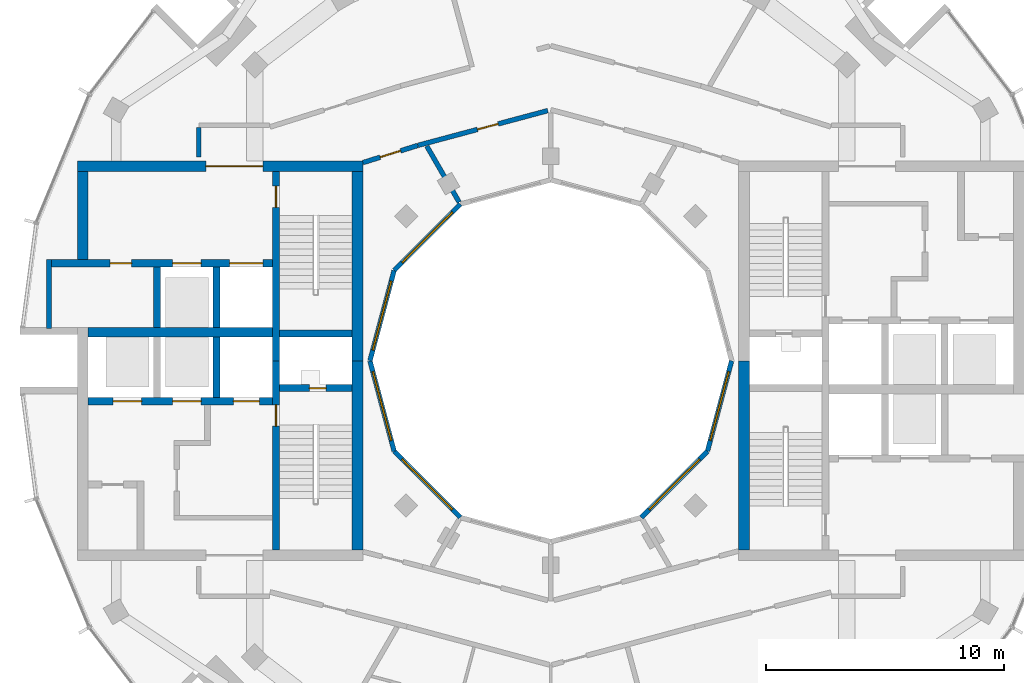
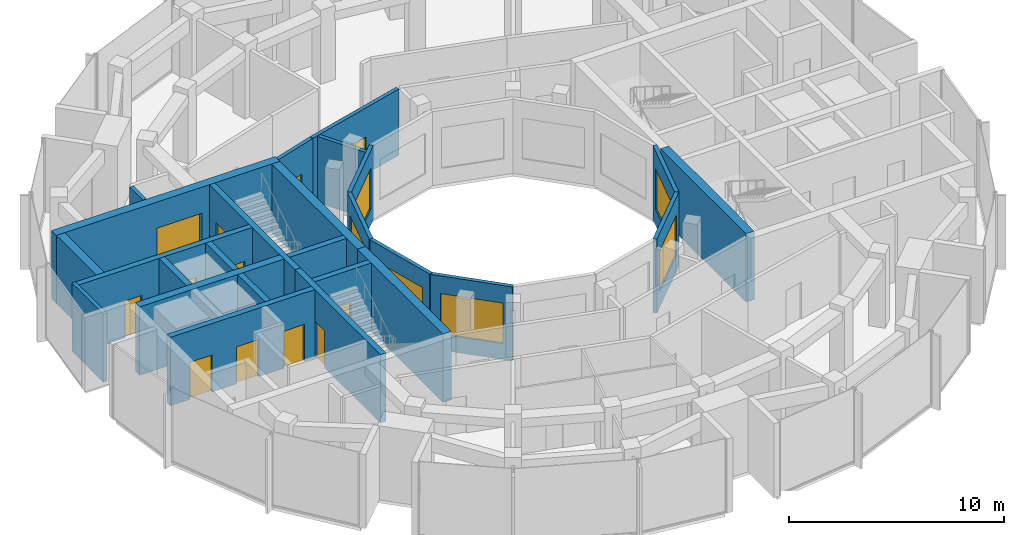
# One storey, part 9 of 13: 26 walls, 12 doors, 6 windows, 18 openings.
"""IFC4 building model written with IfcOpenShell, lengths in metres."""

from ifc_helpers import new_model, si_unit, direction, frame, frame_2d, origin, place, context, subcontext, project, spatial, rectangle, extrude, material, layer, layer_set, type_object, element, fill, save


model = new_model("IFC4")

# Units and contexts
model_context = context("Model", 3, precision=1e-05, world=origin(), true_north=direction((0.0, 1.0)))
body_context = subcontext(model_context, "Body", "Model", "MODEL_VIEW")
ifc_project = project(units=[si_unit("LENGTHUNIT", "METRE"), si_unit("AREAUNIT", "SQUARE_METRE"), si_unit("VOLUMEUNIT", "CUBIC_METRE"), si_unit("PLANEANGLEUNIT", "RADIAN"), si_unit("MASSUNIT", "GRAM", prefix="KILO")], contexts=[model_context])

# Site, building, storey
site_placement = place(None, origin())
site = spatial("IfcSite", under=ifc_project, at=site_placement, CompositionType="ELEMENT")
building_placement = place(site_placement, origin())
building = spatial("IfcBuilding", under=site, at=building_placement, Name="Torre Brocal", CompositionType="ELEMENT")
storey_placement = place(building_placement, frame((0.0, 0.0, 300.89990234375)))
storey = spatial("IfcBuildingStorey", under=building, at=storey_placement, Name="L69", CompositionType="ELEMENT", Elevation=300.89990234375)

# Wall
ifc_material_1 = material(Name="Masonry block", Category="masonry")
ifc_layer_1 = layer(ifc_material_1, 0.199951171875)
ifc_layer_set_1 = layer_set([ifc_layer_1], Name="Masonry block")
wall_type_1 = type_object("IfcWallType", Name="CORE PARTITION 200", PredefinedType="PARTITIONING", material=ifc_layer_set_1)
wall_1_placement = place(storey_placement, frame((58.89990234375, 79.25, 0.0), z_axis=(0.0, 0.0, 1.0), x_axis=(0.0, -1.0, 0.0)))
element("IfcWall", 1, at=wall_1_placement, inside=storey, type_object=wall_type_1, Name="Wall CP200", PredefinedType="PARTITIONING", context=body_context, shape_type="SweptSolid", body=[
    extrude(rectangle(XDim=2.89990234375, YDim=0.199951171875, at=frame_2d((1.449951171875, 0.0))), origin(), (0.0, 0.0, 1.0), 3.880126953125),
])

# Wall, opening, door
ifc_material_2 = material(Name="Concrete C50", Category="concrete")
ifc_layer_2 = layer(ifc_material_2, 0.300048828125)
ifc_layer_set_2 = layer_set([ifc_layer_2], Name="Concrete C50")
wall_type_2 = type_object("IfcWallType", Name="CORE WALL 300 C50", PredefinedType="SHEAR", material=ifc_layer_set_2)
wall_2_placement = place(storey_placement, frame((68.449951171875, 75.0, 0.0), z_axis=(0.0, 0.0, 1.0), x_axis=(0.0, -1.0, 0.0)))
wall_2 = element("IfcWall", 2, at=wall_2_placement, inside=storey, type_object=wall_type_2, Name="Wall CW300-50", PredefinedType="SHEAR", context=body_context, shape_type="SweptSolid", body=[
    extrude(rectangle(XDim=7.949951171875, YDim=0.300048828125, at=frame_2d((3.97509765625, 0.0))), origin(), (0.0, 0.0, 1.0), 3.880126953125),
])
opening_1_placement = place(wall_2_placement, frame((1.85009765625, 0.0, 0.0)))
opening_1 = element("IfcOpeningElement", 3, at=opening_1_placement, cuts=wall_2, Name="Opening W-D02", PredefinedType="OPENING", context=body_context, shape_type="SweptSolid", body=[
    extrude(rectangle(XDim=0.89990234375, YDim=2.10009765625, at=frame_2d((0.449951171875, 1.050048828125))), frame((0.0, 0.159912109375, 0.0), z_axis=(0.0, -1.0, 0.0), x_axis=(1.0, 0.0, 0.0)), (0.0, 0.0, 1.0), 0.320068359375),
])
ifc_material_3 = material(Name="Steel A653", Category="steel")
door_type_1 = type_object("IfcDoorType", Name="STAIR DOOR FD120 900X2100", OperationType="SINGLE_SWING_RIGHT", PredefinedType="DOOR", material=ifc_material_3)
door_1_placement = place(opening_1_placement, origin())
door_1 = element("IfcDoor", 4, at=door_1_placement, inside=storey, type_object=door_type_1, Name="Door W-D02", OperationType="SINGLE_SWING_LEFT", OverallHeight=2.10009765625, OverallWidth=0.89990234375, PredefinedType="DOOR", context=body_context, shape_type="SweptSolid", body=[
    extrude(rectangle(XDim=0.89990234375, YDim=2.10009765625, at=frame_2d((0.449951171875, 1.050048828125))), frame((0.0, 0.02490234375, 0.0), z_axis=(0.0, -1.0, 0.0), x_axis=(1.0, 0.0, 0.0)), (0.0, 0.0, 1.0), 0.050048828125),
])
fill(opening_1, door_1)

wall_3_placement = place(storey_placement, frame((68.449951171875, 82.949951171875, 0.0), z_axis=(0.0, 0.0, 1.0), x_axis=(0.0, -1.0, 0.0)))
wall_3 = element("IfcWall", 5, at=wall_3_placement, inside=storey, type_object=wall_type_2, Name="Wall CW300-50", PredefinedType="SHEAR", context=body_context, shape_type="SweptSolid", body=[
    extrude(rectangle(XDim=7.949951171875, YDim=0.300048828125, at=frame_2d((3.97509765625, 0.0))), origin(), (0.0, 0.0, 1.0), 3.880126953125),
])
opening_2_placement = place(wall_3_placement, frame((0.60009765625, 0.0, 0.0)))
opening_2 = element("IfcOpeningElement", 6, at=opening_2_placement, cuts=wall_3, Name="Opening W-D03", PredefinedType="OPENING", context=body_context, shape_type="SweptSolid", body=[
    extrude(rectangle(XDim=0.89990234375, YDim=2.10009765625, at=frame_2d((0.449951171875, 1.050048828125))), frame((0.0, 0.159912109375, 0.0), z_axis=(0.0, -1.0, 0.0), x_axis=(1.0, 0.0, 0.0)), (0.0, 0.0, 1.0), 0.320068359375),
])
door_2_placement = place(opening_2_placement, origin())
door_2 = element("IfcDoor", 7, at=door_2_placement, inside=storey, type_object=door_type_1, Name="Door W-D03", OperationType="SINGLE_SWING_LEFT", OverallHeight=2.10009765625, OverallWidth=0.89990234375, PredefinedType="DOOR", context=body_context, shape_type="SweptSolid", body=[
    extrude(rectangle(XDim=0.89990234375, YDim=2.10009765625, at=frame_2d((0.449951171875, 1.050048828125))), frame((0.0, 0.02490234375, 0.0), z_axis=(0.0, -1.0, 0.0), x_axis=(1.0, 0.0, 0.0)), (0.0, 0.0, 1.0), 0.050048828125),
])
fill(opening_2, door_2)

wall_4_placement = place(storey_placement, frame((71.64990234375, 73.85009765625, 0.0), z_axis=(0.0, 0.0, 1.0), x_axis=(-1.0, 0.0, 0.0)))
wall_4 = element("IfcWall", 8, at=wall_4_placement, inside=storey, type_object=wall_type_2, Name="Wall CW300-50", PredefinedType="SHEAR", context=body_context, shape_type="SweptSolid", body=[
    extrude(rectangle(XDim=3.0498046875, YDim=0.300048828125, at=frame_2d((1.52490234375, 0.0))), origin(), (0.0, 0.0, 1.0), 3.880126953125),
])
opening_3_placement = place(wall_4_placement, frame((1.10009765625, 0.0, 0.0)))
opening_3 = element("IfcOpeningElement", 9, at=opening_3_placement, cuts=wall_4, Name="Opening W-D01", PredefinedType="OPENING", context=body_context, shape_type="SweptSolid", body=[
    extrude(rectangle(XDim=0.699951171875, YDim=2.0, at=frame_2d((0.35009765625, 1.0))), frame((0.0, 0.159912109375, 0.0), z_axis=(0.0, -1.0, 0.0), x_axis=(1.0, 0.0, 0.0)), (0.0, 0.0, 1.0), 0.320068359375),
])
ifc_material_4 = material(Name="Steel A653", Category="steel")
door_type_2 = type_object("IfcDoorType", Name="RISER DOOR FD120 700X2000", OperationType="SINGLE_SWING_LEFT", PredefinedType="DOOR", material=ifc_material_4)
door_3_placement = place(opening_3_placement, frame((0.699951171875, 0.0, 0.0), z_axis=(0.0, 0.0, 1.0), x_axis=(-1.0, 0.0, 0.0)))
door_3 = element("IfcDoor", 10, at=door_3_placement, inside=storey, type_object=door_type_2, Name="Door W-D01", OperationType="SINGLE_SWING_RIGHT", OverallHeight=2.0, OverallWidth=0.699951171875, PredefinedType="DOOR", context=body_context, shape_type="SweptSolid", body=[
    extrude(rectangle(XDim=0.699951171875, YDim=2.0, at=frame_2d((0.35009765625, 1.0))), frame((0.0, 0.02490234375, 0.0), z_axis=(0.0, -1.0, 0.0), x_axis=(1.0, 0.0, 0.0)), (0.0, 0.0, 1.0), 0.050048828125),
])
fill(opening_3, door_3)

# Wall
wall_5_placement = place(storey_placement, frame((71.64990234375, 76.14990234375, 0.0), z_axis=(0.0, 0.0, 1.0), x_axis=(-1.0, 0.0, 0.0)))
element("IfcWall", 11, at=wall_5_placement, inside=storey, type_object=wall_type_2, Name="Wall CW300-50", PredefinedType="SHEAR", context=body_context, shape_type="SweptSolid", body=[
    extrude(rectangle(XDim=3.0498046875, YDim=0.300048828125, at=frame_2d((1.52490234375, 0.0))), origin(), (0.0, 0.0, 1.0), 3.880126953125),
])

# Wall, openings, doors
wall_6_placement = place(storey_placement, frame((68.300048828125, 73.300048828125, 0.0), z_axis=(0.0, 0.0, 1.0), x_axis=(-1.0, 0.0, 0.0)))
wall_6 = element("IfcWall", 12, at=wall_6_placement, inside=storey, type_object=wall_type_2, Name="Wall CW300-50", PredefinedType="SHEAR", context=body_context, shape_type="SweptSolid", body=[
    extrude(rectangle(XDim=7.75, YDim=0.300048828125, at=frame_2d((3.875, 0.0))), origin(), (0.0, 0.0, 1.0), 3.880126953125),
])
opening_4_placement = place(wall_6_placement, frame((0.550048828125, 0.0, 0.0)))
opening_4 = element("IfcOpeningElement", 13, at=opening_4_placement, cuts=wall_6, Name="Opening LD", PredefinedType="OPENING", context=body_context, shape_type="SweptSolid", body=[
    extrude(rectangle(XDim=1.10009765625, YDim=2.10009765625, at=frame_2d((0.550048828125, 1.050048828125))), frame((0.0, 0.159912109375, 0.0), z_axis=(0.0, -1.0, 0.0), x_axis=(1.0, 0.0, 0.0)), (0.0, 0.0, 1.0), 0.320068359375),
])
opening_5_placement = place(wall_6_placement, frame((3.0, 0.0, 0.0)))
opening_5 = element("IfcOpeningElement", 14, at=opening_5_placement, cuts=wall_6, Name="Opening LD12", PredefinedType="OPENING", context=body_context, shape_type="SweptSolid", body=[
    extrude(rectangle(XDim=1.199951171875, YDim=2.10009765625, at=frame_2d((0.60009765625, 1.050048828125))), frame((0.0, 0.159912109375, 0.0), z_axis=(0.0, -1.0, 0.0), x_axis=(1.0, 0.0, 0.0)), (0.0, 0.0, 1.0), 0.320068359375),
])
opening_6_placement = place(wall_6_placement, frame((5.5, 0.0, 0.0)))
opening_6 = element("IfcOpeningElement", 15, at=opening_6_placement, cuts=wall_6, Name="Opening LD12", PredefinedType="OPENING", context=body_context, shape_type="SweptSolid", body=[
    extrude(rectangle(XDim=1.199951171875, YDim=2.10009765625, at=frame_2d((0.60009765625, 1.050048828125))), frame((0.0, 0.159912109375, 0.0), z_axis=(0.0, -1.0, 0.0), x_axis=(1.0, 0.0, 0.0)), (0.0, 0.0, 1.0), 0.320068359375),
])
ifc_material_5 = material(Name="Stainless steel AISI 316", Category="steel")
door_type_3 = type_object("IfcDoorType", Name="LIFT LANDING DOOR 1100X2100", OperationType="DOUBLE_DOOR_SLIDING", PredefinedType="DOOR", material=ifc_material_5)
door_4_placement = place(opening_4_placement, origin())
door_4 = element("IfcDoor", 16, at=door_4_placement, inside=storey, type_object=door_type_3, Name="Door LD", OperationType="DOUBLE_DOOR_SLIDING", OverallHeight=2.10009765625, OverallWidth=1.10009765625, PredefinedType="DOOR", context=body_context, shape_type="SweptSolid", body=[
    extrude(rectangle(XDim=1.10009765625, YDim=2.10009765625, at=frame_2d((0.550048828125, 1.050048828125))), frame((0.0, 0.02490234375, 0.0), z_axis=(0.0, -1.0, 0.0), x_axis=(1.0, 0.0, 0.0)), (0.0, 0.0, 1.0), 0.050048828125),
])
fill(opening_4, door_4)
ifc_material_6 = material(Name="Stainless steel AISI 316", Category="steel")
door_type_4 = type_object("IfcDoorType", Name="LIFT LANDING DOOR 1200X2100", OperationType="DOUBLE_DOOR_SLIDING", PredefinedType="DOOR", material=ifc_material_6)
door_5_placement = place(opening_5_placement, origin())
door_5 = element("IfcDoor", 17, at=door_5_placement, inside=storey, type_object=door_type_4, Name="Door LD12", OperationType="DOUBLE_DOOR_SLIDING", OverallHeight=2.10009765625, OverallWidth=1.199951171875, PredefinedType="DOOR", context=body_context, shape_type="SweptSolid", body=[
    extrude(rectangle(XDim=1.199951171875, YDim=2.10009765625, at=frame_2d((0.60009765625, 1.050048828125))), frame((0.0, 0.02490234375, 0.0), z_axis=(0.0, -1.0, 0.0), x_axis=(1.0, 0.0, 0.0)), (0.0, 0.0, 1.0), 0.050048828125),
])
fill(opening_5, door_5)
door_6_placement = place(opening_6_placement, origin())
door_6 = element("IfcDoor", 18, at=door_6_placement, inside=storey, type_object=door_type_4, Name="Door LD12", OperationType="DOUBLE_DOOR_SLIDING", OverallHeight=2.10009765625, OverallWidth=1.199951171875, PredefinedType="DOOR", context=body_context, shape_type="SweptSolid", body=[
    extrude(rectangle(XDim=1.199951171875, YDim=2.10009765625, at=frame_2d((0.60009765625, 1.050048828125))), frame((0.0, 0.02490234375, 0.0), z_axis=(0.0, -1.0, 0.0), x_axis=(1.0, 0.0, 0.0)), (0.0, 0.0, 1.0), 0.050048828125),
])
fill(opening_6, door_6)

wall_7_placement = place(storey_placement, frame((68.300048828125, 79.10009765625, 0.0), z_axis=(0.0, 0.0, 1.0), x_axis=(-1.0, 0.0, 0.0)))
wall_7 = element("IfcWall", 19, at=wall_7_placement, inside=storey, type_object=wall_type_2, Name="Wall CW300-50", PredefinedType="SHEAR", context=body_context, shape_type="SweptSolid", body=[
    extrude(rectangle(XDim=9.300048828125, YDim=0.300048828125, at=frame_2d((4.64990234375, 0.0))), origin(), (0.0, 0.0, 1.0), 3.880126953125),
])
opening_7_placement = place(wall_7_placement, frame((0.39990234375, 0.0, 0.0)))
opening_7 = element("IfcOpeningElement", 20, at=opening_7_placement, cuts=wall_7, Name="Opening LD14", PredefinedType="OPENING", context=body_context, shape_type="SweptSolid", body=[
    extrude(rectangle(XDim=1.39990234375, YDim=2.10009765625, at=frame_2d((0.699951171875, 1.050048828125))), frame((0.0, 0.159912109375, 0.0), z_axis=(0.0, -1.0, 0.0), x_axis=(1.0, 0.0, 0.0)), (0.0, 0.0, 1.0), 0.320068359375),
])
opening_8_placement = place(wall_7_placement, frame((3.0, 0.0, 0.0)))
opening_8 = element("IfcOpeningElement", 21, at=opening_8_placement, cuts=wall_7, Name="Opening LD12", PredefinedType="OPENING", context=body_context, shape_type="SweptSolid", body=[
    extrude(rectangle(XDim=1.199951171875, YDim=2.10009765625, at=frame_2d((0.60009765625, 1.050048828125))), frame((0.0, 0.159912109375, 0.0), z_axis=(0.0, -1.0, 0.0), x_axis=(1.0, 0.0, 0.0)), (0.0, 0.0, 1.0), 0.320068359375),
])
opening_9_placement = place(wall_7_placement, frame((5.925048828125, 0.0, 0.0)))
opening_9 = element("IfcOpeningElement", 22, at=opening_9_placement, cuts=wall_7, Name="Opening W-D04", PredefinedType="OPENING", context=body_context, shape_type="SweptSolid", body=[
    extrude(rectangle(XDim=0.89990234375, YDim=2.10009765625, at=frame_2d((0.449951171875, 1.050048828125))), frame((0.0, 0.159912109375, 0.0), z_axis=(0.0, -1.0, 0.0), x_axis=(1.0, 0.0, 0.0)), (0.0, 0.0, 1.0), 0.320068359375),
])
door_7_placement = place(opening_8_placement, origin())
door_7 = element("IfcDoor", 23, at=door_7_placement, inside=storey, type_object=door_type_4, Name="Door LD12", OperationType="DOUBLE_DOOR_SLIDING", OverallHeight=2.10009765625, OverallWidth=1.199951171875, PredefinedType="DOOR", context=body_context, shape_type="SweptSolid", body=[
    extrude(rectangle(XDim=1.199951171875, YDim=2.10009765625, at=frame_2d((0.60009765625, 1.050048828125))), frame((0.0, 0.02490234375, 0.0), z_axis=(0.0, -1.0, 0.0), x_axis=(1.0, 0.0, 0.0)), (0.0, 0.0, 1.0), 0.050048828125),
])
fill(opening_8, door_7)
ifc_material_7 = material(Name="Stainless steel AISI 316", Category="steel")
door_type_5 = type_object("IfcDoorType", Name="LIFT LANDING DOOR 1400X2100", OperationType="DOUBLE_DOOR_SLIDING", PredefinedType="DOOR", material=ifc_material_7)
door_8_placement = place(opening_7_placement, origin())
door_8 = element("IfcDoor", 24, at=door_8_placement, inside=storey, type_object=door_type_5, Name="Door LD14", OperationType="DOUBLE_DOOR_SLIDING", OverallHeight=2.10009765625, OverallWidth=1.39990234375, PredefinedType="DOOR", context=body_context, shape_type="SweptSolid", body=[
    extrude(rectangle(XDim=1.39990234375, YDim=2.10009765625, at=frame_2d((0.699951171875, 1.050048828125))), frame((0.0, 0.02490234375, 0.0), z_axis=(0.0, -1.0, 0.0), x_axis=(1.0, 0.0, 0.0)), (0.0, 0.0, 1.0), 0.050048828125),
])
fill(opening_7, door_8)
ifc_material_8 = material(Name="Steel A653", Category="steel")
door_type_6 = type_object("IfcDoorType", Name="ROOM DOOR FD30S 900X2100", OperationType="SINGLE_SWING_LEFT", PredefinedType="DOOR", material=ifc_material_8)
door_9_placement = place(opening_9_placement, origin())
door_9 = element("IfcDoor", 25, at=door_9_placement, inside=storey, type_object=door_type_6, Name="Door W-D04", OperationType="SINGLE_SWING_LEFT", OverallHeight=2.10009765625, OverallWidth=0.89990234375, PredefinedType="DOOR", context=body_context, shape_type="SweptSolid", body=[
    extrude(rectangle(XDim=0.89990234375, YDim=2.10009765625, at=frame_2d((0.449951171875, 1.050048828125))), frame((0.0, 0.02490234375, 0.0), z_axis=(0.0, -1.0, 0.0), x_axis=(1.0, 0.0, 0.0)), (0.0, 0.0, 1.0), 0.050048828125),
])
fill(opening_9, door_9)

# Walls
for number, where, z_axis, x_axis, name in (
    (26, (65.949951171875, 76.0, 0.0), (0.0, 0.0, 1.0), (0.0, -1.0, 0.0), "Wall CW300-50"),
    (27, (65.949951171875, 78.949951171875, 0.0), (0.0, 0.0, 1.0), (0.0, -1.0, 0.0), "Wall CW300-50"),
    (28, (63.449951171875, 78.949951171875, 0.0), (0.0, 0.0, 1.0), (0.0, -1.0, 0.0), "Wall CW300-50"),
):
    element("IfcWall", number, at=place(storey_placement, frame(where, z_axis=z_axis, x_axis=x_axis)), inside=storey, type_object=wall_type_2, Name=name, PredefinedType="SHEAR", context=body_context, shape_type="SweptSolid", body=[
        extrude(rectangle(XDim=2.550048828125, YDim=0.300048828125, at=frame_2d((1.27490234375, 0.0))), origin(), (0.0, 0.0, 1.0), 3.880126953125),
    ])
ifc_material_9 = material(Name="Concrete C50", Category="concrete")
ifc_layer_3 = layer(ifc_material_9, 0.39990234375)
ifc_layer_set_3 = layer_set([ifc_layer_3], Name="Concrete C50")
wall_type_3 = type_object("IfcWallType", Name="CORE WALL 400 C50", PredefinedType="SHEAR", material=ifc_layer_set_3)
wall_8_placement = place(storey_placement, frame((68.300048828125, 76.199951171875, 0.0), z_axis=(0.0, 0.0, 1.0), x_axis=(-1.0, 0.0, 0.0)))
element("IfcWall", 29, at=wall_8_placement, inside=storey, type_object=wall_type_3, Name="Wall CW400-50", PredefinedType="SHEAR", context=body_context, shape_type="SweptSolid", body=[
    extrude(rectangle(XDim=7.75, YDim=0.39990234375, at=frame_2d((3.875, 0.0))), origin(), (0.0, 0.0, 1.0), 3.880126953125),
])
ifc_material_10 = material(Name="Concrete C50", Category="concrete")
ifc_layer_4 = layer(ifc_material_10, 0.449951171875)
ifc_layer_set_4 = layer_set([ifc_layer_4], Name="Concrete C50")
wall_type_4 = type_object("IfcWallType", Name="CORE WALL 450 C50", PredefinedType="SHEAR", material=ifc_layer_set_4)
wall_9_placement = place(storey_placement, frame((88.125, 67.050048828125, 0.0), z_axis=(0.0, 0.0, 1.0), x_axis=(0.0, 1.0, 0.0)))
element("IfcWall", 30, at=wall_9_placement, inside=storey, type_object=wall_type_4, Name="Wall CW450-50", PredefinedType="SHEAR", context=body_context, shape_type="SweptSolid", body=[
    extrude(rectangle(XDim=7.949951171875, YDim=0.449951171875, at=frame_2d((3.97509765625, 0.0))), origin(), (0.0, 0.0, 1.0), 3.880126953125),
])

# Wall, opening, door
wall_10_placement = place(storey_placement, frame((72.10009765625, 83.175048828125, 0.0), z_axis=(0.0, 0.0, 1.0), x_axis=(-1.0, 0.0, 0.0)))
wall_10 = element("IfcWall", 31, at=wall_10_placement, inside=storey, type_object=wall_type_4, Name="Wall CW450-50", PredefinedType="SHEAR", context=body_context, shape_type="SweptSolid", body=[
    extrude(rectangle(XDim=12.0, YDim=0.449951171875, at=frame_2d((6.0, 0.0))), origin(), (0.0, 0.0, 1.0), 3.880126953125),
])
opening_10_placement = place(wall_10_placement, frame((4.199951171875, 0.0, 0.0)))
opening_10 = element("IfcOpeningElement", 32, at=opening_10_placement, cuts=wall_10, Name="Opening W-D27", PredefinedType="OPENING", context=body_context, shape_type="SweptSolid", body=[
    extrude(rectangle(XDim=2.39990234375, YDim=2.39990234375, at=frame_2d((1.199951171875, 1.199951171875))), frame((0.0, 0.23486328125, 0.0), z_axis=(0.0, -1.0, 0.0), x_axis=(1.0, 0.0, 0.0)), (0.0, 0.0, 1.0), 0.469970703125),
])
ifc_material_11 = material(Name="Steel A653", Category="steel")
door_type_7 = type_object("IfcDoorType", Name="DOUBLE FIRE DOOR FD90 2400X2400", OperationType="DOUBLE_DOOR_SINGLE_SWING", PredefinedType="DOOR", material=ifc_material_11)
door_10_placement = place(opening_10_placement, origin())
door_10 = element("IfcDoor", 33, at=door_10_placement, inside=storey, type_object=door_type_7, Name="Door W-D27", OperationType="DOUBLE_DOOR_SINGLE_SWING", OverallHeight=2.39990234375, OverallWidth=2.39990234375, PredefinedType="DOOR", context=body_context, shape_type="SweptSolid", body=[
    extrude(rectangle(XDim=2.39990234375, YDim=2.39990234375, at=frame_2d((1.199951171875, 1.199951171875))), frame((0.0, 0.02490234375, 0.0), z_axis=(0.0, -1.0, 0.0), x_axis=(1.0, 0.0, 0.0)), (0.0, 0.0, 1.0), 0.050048828125),
])
fill(opening_10, door_10)

# Walls
for number, where, z_axis, x_axis, name in (
    (34, (71.875, 75.0, 0.0), (0.0, 0.0, 1.0), (0.0, -1.0, 0.0), "Wall CW450-50"),
    (35, (71.875, 82.949951171875, 0.0), (0.0, 0.0, 1.0), (0.0, -1.0, 0.0), "Wall CW450-50"),
):
    element("IfcWall", number, at=place(storey_placement, frame(where, z_axis=z_axis, x_axis=x_axis)), inside=storey, type_object=wall_type_4, Name=name, PredefinedType="SHEAR", context=body_context, shape_type="SweptSolid", body=[
        extrude(rectangle(XDim=7.949951171875, YDim=0.449951171875, at=frame_2d((3.97509765625, 0.0))), origin(), (0.0, 0.0, 1.0), 3.880126953125),
    ])
wall_11_placement = place(storey_placement, frame((60.324951171875, 82.949951171875, 0.0), z_axis=(0.0, 0.0, 1.0), x_axis=(0.0, -1.0, 0.0)))
element("IfcWall", 36, at=wall_11_placement, inside=storey, type_object=wall_type_4, Name="Wall CW450-50", PredefinedType="SHEAR", context=body_context, shape_type="SweptSolid", body=[
    extrude(rectangle(XDim=3.699951171875, YDim=0.449951171875, at=frame_2d((1.85009765625, 0.0))), origin(), (0.0, 0.0, 1.0), 3.880126953125),
])
ifc_material_12 = material(Name="Gypsum board", Category="Gypsum")
ifc_layer_5 = layer(ifc_material_12, 0.199951171875)
ifc_layer_set_5 = layer_set([ifc_layer_5], Name="Gypsum board")
wall_type_5 = type_object("IfcWallType", Name="PARTITION 200 EI60", PredefinedType="PARTITIONING", material=ifc_layer_set_5)
wall_12_placement = place(storey_placement, frame((65.199951171875, 83.576904296875, 0.0), z_axis=(0.0, 0.0, 1.0), x_axis=(0.0, 1.0, 0.0)))
element("IfcWall", 37, at=wall_12_placement, inside=storey, type_object=wall_type_5, Name="FLAT ENTRANCE WALL", PredefinedType="PARTITIONING", context=body_context, shape_type="SweptSolid", body=[
    extrude(rectangle(XDim=1.22314453125, YDim=0.199951171875, at=frame_2d((0.611572265625, 0.0))), origin(), (0.0, 0.0, 1.0), 3.75),
])

# Wall, opening, door
wall_13_placement = place(storey_placement, frame((72.10009765625, 83.33203125, 0.0), z_axis=(0.0, 0.0, 1.0), x_axis=(0.954233106619, 0.299063836383, 0.0)))
wall_13 = element("IfcWall", 38, at=wall_13_placement, inside=storey, type_object=wall_type_5, Name="CORRIDOR WALL", PredefinedType="PARTITIONING", context=body_context, shape_type="SweptSolid", body=[
    extrude(rectangle(XDim=2.4140625, YDim=0.199951171875, at=frame_2d((1.20703125, 0.0))), origin(), (0.0, 0.0, 1.0), 3.75),
])
opening_11_placement = place(wall_13_placement, frame((0.761962890625, 0.0, 0.0)))
opening_11 = element("IfcOpeningElement", 39, at=opening_11_placement, cuts=wall_13, Name="Opening N03-D07", PredefinedType="OPENING", context=body_context, shape_type="SweptSolid", body=[
    extrude(rectangle(XDim=0.89990234375, YDim=2.10009765625, at=frame_2d((0.449951171875, 1.050048828125))), frame((0.0, 0.10986328125, 0.0), z_axis=(0.0, -1.0, 0.0), x_axis=(1.0, 0.0, 0.0)), (0.0, 0.0, 1.0), 0.219970703125),
])
ifc_material_13 = material(Name="Timber", Category="wood")
door_type_8 = type_object("IfcDoorType", Name="ROOM DOOR 900X2100", OperationType="SINGLE_SWING_LEFT", PredefinedType="DOOR", material=ifc_material_13)
door_11_placement = place(opening_11_placement, frame((0.89990234375, 0.0, 0.0), z_axis=(0.0, 0.0, 1.0), x_axis=(-1.0, 0.0, 0.0)))
door_11 = element("IfcDoor", 40, at=door_11_placement, inside=storey, type_object=door_type_8, Name="N03-D07", OperationType="SINGLE_SWING_RIGHT", OverallHeight=2.10009765625, OverallWidth=0.89990234375, PredefinedType="DOOR", context=body_context, shape_type="SweptSolid", body=[
    extrude(rectangle(XDim=0.89990234375, YDim=2.10009765625, at=frame_2d((0.449951171875, 1.050048828125))), frame((0.0, 0.02490234375, 0.0), z_axis=(0.0, -1.0, 0.0), x_axis=(1.0, 0.0, 0.0)), (0.0, 0.0, 1.0), 0.050048828125),
])
fill(opening_11, door_11)

wall_14_placement = place(storey_placement, frame((74.4130859375, 84.056884765625, 0.0), z_axis=(0.0, 0.0, 1.0), x_axis=(0.965972135939, 0.258646153246, 0.0)))
wall_14 = element("IfcWall", 41, at=wall_14_placement, inside=storey, type_object=wall_type_5, Name="CORRIDOR WALL", PredefinedType="PARTITIONING", context=body_context, shape_type="SweptSolid", body=[
    extrude(rectangle(XDim=5.654052734375, YDim=0.199951171875, at=frame_2d((2.8271484375, 0.0))), origin(), (0.0, 0.0, 1.0), 3.75),
])
opening_12_placement = place(wall_14_placement, frame((2.5927734375, 0.0, 0.0)))
opening_12 = element("IfcOpeningElement", 42, at=opening_12_placement, cuts=wall_14, Name="Opening N03-D06", PredefinedType="OPENING", context=body_context, shape_type="SweptSolid", body=[
    extrude(rectangle(XDim=0.89990234375, YDim=2.10009765625, at=frame_2d((0.449951171875, 1.050048828125))), frame((0.0, 0.10986328125, 0.0), z_axis=(0.0, -1.0, 0.0), x_axis=(1.0, 0.0, 0.0)), (0.0, 0.0, 1.0), 0.219970703125),
])
door_12_placement = place(opening_12_placement, frame((0.89990234375, 0.0, 0.0), z_axis=(0.0, 0.0, 1.0), x_axis=(-1.0, 0.0, 0.0)))
door_12 = element("IfcDoor", 43, at=door_12_placement, inside=storey, type_object=door_type_8, Name="N03-D06", OperationType="SINGLE_SWING_RIGHT", OverallHeight=2.10009765625, OverallWidth=0.89990234375, PredefinedType="DOOR", context=body_context, shape_type="SweptSolid", body=[
    extrude(rectangle(XDim=0.89990234375, YDim=2.10009765625, at=frame_2d((0.449951171875, 1.050048828125))), frame((0.0, 0.02490234375, 0.0), z_axis=(0.0, -1.0, 0.0), x_axis=(1.0, 0.0, 0.0)), (0.0, 0.0, 1.0), 0.050048828125),
])
fill(opening_12, door_12)

# Wall
wall_15_placement = place(storey_placement, frame((74.787353515625, 84.027099609375, 0.0), z_axis=(0.0, 0.0, 1.0), x_axis=(0.500079107518, -0.86597972622, 0.0)))
element("IfcWall", 44, at=wall_15_placement, inside=storey, type_object=wall_type_5, Name="PARTY PARTITION", PredefinedType="PARTITIONING", context=body_context, shape_type="SweptSolid", body=[
    extrude(rectangle(XDim=2.7255859375, YDim=0.199951171875, at=frame_2d((1.36279296875, 0.0))), origin(), (0.0, 0.0, 1.0), 3.75),
])

# Wall, opening, window
ifc_material_14 = material(Name="Concrete C40", Category="concrete")
ifc_layer_6 = layer(ifc_material_14, 0.199951171875)
ifc_layer_set_6 = layer_set([ifc_layer_6], Name="Concrete C40")
wall_type_6 = type_object("IfcWallType", Name="WELL FACADE WALL 200", PredefinedType="NOTDEFINED", material=ifc_layer_set_6)
wall_16_placement = place(storey_placement, frame((76.1982421875, 81.5849609375, 0.0), z_axis=(0.0, 0.0, 1.0), x_axis=(-0.707106781187, -0.707106781187, 0.0)))
wall_16 = element("IfcWall", 45, at=wall_16_placement, inside=storey, type_object=wall_type_6, Name="WELL FACADE WALL", PredefinedType="NOTDEFINED", context=body_context, shape_type="SweptSolid", body=[
    extrude(rectangle(XDim=3.93603515625, YDim=0.199951171875, at=frame_2d((1.968017578125, 0.0))), origin(), (0.0, 0.0, 1.0), 4.2001953125),
])
opening_13_placement = place(wall_16_placement, frame((0.468017578125, 0.0, 0.89990234375)))
opening_13 = element("IfcOpeningElement", 46, at=opening_13_placement, cuts=wall_16, Name="Opening W1", PredefinedType="OPENING", context=body_context, shape_type="SweptSolid", body=[
    extrude(rectangle(XDim=3.0, YDim=2.300048828125, at=frame_2d((1.5, 1.14990234375))), frame((0.0, 0.10986328125, 0.0), z_axis=(0.0, -1.0, 0.0), x_axis=(1.0, 0.0, 0.0)), (0.0, 0.0, 1.0), 0.219970703125),
])
ifc_material_15 = material(Name="Aluminium and glass", Category="aluminium")
window_type = type_object("IfcWindowType", Name="WELL WINDOW 3000X2300", PartitioningType="SINGLE_PANEL", PredefinedType="WINDOW", material=ifc_material_15)
window_1_placement = place(opening_13_placement, origin())
window_1 = element("IfcWindow", 47, at=window_1_placement, inside=storey, type_object=window_type, Name="WELL WINDOW 3000X2300", OverallHeight=2.300048828125, OverallWidth=3.0, PartitioningType="SINGLE_PANEL", PredefinedType="WINDOW", context=body_context, shape_type="SweptSolid", body=[
    extrude(rectangle(XDim=3.0, YDim=2.300048828125, at=frame_2d((1.5, 1.14990234375))), frame((0.0, 0.030029296875, 0.0), z_axis=(0.0, -1.0, 0.0), x_axis=(1.0, 0.0, 0.0)), (0.0, 0.0, 1.0), 0.06005859375),
])
fill(opening_13, window_1)

wall_17_placement = place(storey_placement, frame((73.4150390625, 78.8017578125, 0.0), z_axis=(0.0, 0.0, 1.0), x_axis=(-0.258789828301, -0.965933654434, 0.0)))
wall_17 = element("IfcWall", 48, at=wall_17_placement, inside=storey, type_object=wall_type_6, Name="WELL FACADE WALL", PredefinedType="NOTDEFINED", context=body_context, shape_type="SweptSolid", body=[
    extrude(rectangle(XDim=3.935791015625, YDim=0.199951171875, at=frame_2d((1.9677734375, 0.0))), origin(), (0.0, 0.0, 1.0), 4.2001953125),
])
opening_14_placement = place(wall_17_placement, frame((0.468017578125, 0.0, 0.89990234375)))
opening_14 = element("IfcOpeningElement", 49, at=opening_14_placement, cuts=wall_17, Name="Opening W1", PredefinedType="OPENING", context=body_context, shape_type="SweptSolid", body=[
    extrude(rectangle(XDim=3.0, YDim=2.300048828125, at=frame_2d((1.5, 1.14990234375))), frame((0.0, 0.10986328125, 0.0), z_axis=(0.0, -1.0, 0.0), x_axis=(1.0, 0.0, 0.0)), (0.0, 0.0, 1.0), 0.219970703125),
])
window_2_placement = place(opening_14_placement, origin())
window_2 = element("IfcWindow", 50, at=window_2_placement, inside=storey, type_object=window_type, Name="WELL WINDOW 3000X2300", OverallHeight=2.300048828125, OverallWidth=3.0, PartitioningType="SINGLE_PANEL", PredefinedType="WINDOW", context=body_context, shape_type="SweptSolid", body=[
    extrude(rectangle(XDim=3.0, YDim=2.300048828125, at=frame_2d((1.5, 1.14990234375))), frame((0.0, 0.030029296875, 0.0), z_axis=(0.0, -1.0, 0.0), x_axis=(1.0, 0.0, 0.0)), (0.0, 0.0, 1.0), 0.06005859375),
])
fill(opening_14, window_2)

wall_18_placement = place(storey_placement, frame((72.396484375, 75.0, 0.0), z_axis=(0.0, 0.0, 1.0), x_axis=(0.258789828301, -0.965933654434, 0.0)))
wall_18 = element("IfcWall", 51, at=wall_18_placement, inside=storey, type_object=wall_type_6, Name="WELL FACADE WALL", PredefinedType="NOTDEFINED", context=body_context, shape_type="SweptSolid", body=[
    extrude(rectangle(XDim=3.935791015625, YDim=0.199951171875, at=frame_2d((1.9677734375, 0.0))), origin(), (0.0, 0.0, 1.0), 4.2001953125),
])
opening_15_placement = place(wall_18_placement, frame((0.468017578125, 0.0, 0.89990234375)))
opening_15 = element("IfcOpeningElement", 52, at=opening_15_placement, cuts=wall_18, Name="Opening W1", PredefinedType="OPENING", context=body_context, shape_type="SweptSolid", body=[
    extrude(rectangle(XDim=3.0, YDim=2.300048828125, at=frame_2d((1.5, 1.14990234375))), frame((0.0, 0.10986328125, 0.0), z_axis=(0.0, -1.0, 0.0), x_axis=(1.0, 0.0, 0.0)), (0.0, 0.0, 1.0), 0.219970703125),
])
window_3_placement = place(opening_15_placement, origin())
window_3 = element("IfcWindow", 53, at=window_3_placement, inside=storey, type_object=window_type, Name="WELL WINDOW 3000X2300", OverallHeight=2.300048828125, OverallWidth=3.0, PartitioningType="SINGLE_PANEL", PredefinedType="WINDOW", context=body_context, shape_type="SweptSolid", body=[
    extrude(rectangle(XDim=3.0, YDim=2.300048828125, at=frame_2d((1.5, 1.14990234375))), frame((0.0, 0.030029296875, 0.0), z_axis=(0.0, -1.0, 0.0), x_axis=(1.0, 0.0, 0.0)), (0.0, 0.0, 1.0), 0.06005859375),
])
fill(opening_15, window_3)

wall_19_placement = place(storey_placement, frame((73.4150390625, 71.1982421875, 0.0), z_axis=(0.0, 0.0, 1.0), x_axis=(0.707106781187, -0.707106781187, 0.0)))
wall_19 = element("IfcWall", 54, at=wall_19_placement, inside=storey, type_object=wall_type_6, Name="WELL FACADE WALL", PredefinedType="NOTDEFINED", context=body_context, shape_type="SweptSolid", body=[
    extrude(rectangle(XDim=3.93603515625, YDim=0.199951171875, at=frame_2d((1.968017578125, 0.0))), origin(), (0.0, 0.0, 1.0), 4.2001953125),
])
opening_16_placement = place(wall_19_placement, frame((0.468017578125, 0.0, 0.89990234375)))
opening_16 = element("IfcOpeningElement", 55, at=opening_16_placement, cuts=wall_19, Name="Opening W1", PredefinedType="OPENING", context=body_context, shape_type="SweptSolid", body=[
    extrude(rectangle(XDim=3.0, YDim=2.300048828125, at=frame_2d((1.5, 1.14990234375))), frame((0.0, 0.10986328125, 0.0), z_axis=(0.0, -1.0, 0.0), x_axis=(1.0, 0.0, 0.0)), (0.0, 0.0, 1.0), 0.219970703125),
])
window_4_placement = place(opening_16_placement, origin())
window_4 = element("IfcWindow", 56, at=window_4_placement, inside=storey, type_object=window_type, Name="WELL WINDOW 3000X2300", OverallHeight=2.300048828125, OverallWidth=3.0, PartitioningType="SINGLE_PANEL", PredefinedType="WINDOW", context=body_context, shape_type="SweptSolid", body=[
    extrude(rectangle(XDim=3.0, YDim=2.300048828125, at=frame_2d((1.5, 1.14990234375))), frame((0.0, 0.030029296875, 0.0), z_axis=(0.0, -1.0, 0.0), x_axis=(1.0, 0.0, 0.0)), (0.0, 0.0, 1.0), 0.06005859375),
])
fill(opening_16, window_4)

wall_20_placement = place(storey_placement, frame((83.8017578125, 68.4150390625, 0.0), z_axis=(0.0, 0.0, 1.0), x_axis=(0.707106781187, 0.707106781187, 0.0)))
wall_20 = element("IfcWall", 57, at=wall_20_placement, inside=storey, type_object=wall_type_6, Name="WELL FACADE WALL", PredefinedType="NOTDEFINED", context=body_context, shape_type="SweptSolid", body=[
    extrude(rectangle(XDim=3.93603515625, YDim=0.199951171875, at=frame_2d((1.968017578125, 0.0))), origin(), (0.0, 0.0, 1.0), 4.2001953125),
])
opening_17_placement = place(wall_20_placement, frame((0.468017578125, 0.0, 0.89990234375)))
opening_17 = element("IfcOpeningElement", 58, at=opening_17_placement, cuts=wall_20, Name="Opening W1", PredefinedType="OPENING", context=body_context, shape_type="SweptSolid", body=[
    extrude(rectangle(XDim=3.0, YDim=2.300048828125, at=frame_2d((1.5, 1.14990234375))), frame((0.0, 0.10986328125, 0.0), z_axis=(0.0, -1.0, 0.0), x_axis=(1.0, 0.0, 0.0)), (0.0, 0.0, 1.0), 0.219970703125),
])
window_5_placement = place(opening_17_placement, origin())
window_5 = element("IfcWindow", 59, at=window_5_placement, inside=storey, type_object=window_type, Name="WELL WINDOW 3000X2300", OverallHeight=2.300048828125, OverallWidth=3.0, PartitioningType="SINGLE_PANEL", PredefinedType="WINDOW", context=body_context, shape_type="SweptSolid", body=[
    extrude(rectangle(XDim=3.0, YDim=2.300048828125, at=frame_2d((1.5, 1.14990234375))), frame((0.0, 0.030029296875, 0.0), z_axis=(0.0, -1.0, 0.0), x_axis=(1.0, 0.0, 0.0)), (0.0, 0.0, 1.0), 0.06005859375),
])
fill(opening_17, window_5)

wall_21_placement = place(storey_placement, frame((86.5849609375, 71.1982421875, 0.0), z_axis=(0.0, 0.0, 1.0), x_axis=(0.258789828301, 0.965933654434, 0.0)))
wall_21 = element("IfcWall", 60, at=wall_21_placement, inside=storey, type_object=wall_type_6, Name="WELL FACADE WALL", PredefinedType="NOTDEFINED", context=body_context, shape_type="SweptSolid", body=[
    extrude(rectangle(XDim=3.935791015625, YDim=0.199951171875, at=frame_2d((1.9677734375, 0.0))), origin(), (0.0, 0.0, 1.0), 4.2001953125),
])
opening_18_placement = place(wall_21_placement, frame((0.468017578125, 0.0, 0.89990234375)))
opening_18 = element("IfcOpeningElement", 61, at=opening_18_placement, cuts=wall_21, Name="Opening W1", PredefinedType="OPENING", context=body_context, shape_type="SweptSolid", body=[
    extrude(rectangle(XDim=3.0, YDim=2.300048828125, at=frame_2d((1.5, 1.14990234375))), frame((0.0, 0.10986328125, 0.0), z_axis=(0.0, -1.0, 0.0), x_axis=(1.0, 0.0, 0.0)), (0.0, 0.0, 1.0), 0.219970703125),
])
window_6_placement = place(opening_18_placement, origin())
window_6 = element("IfcWindow", 62, at=window_6_placement, inside=storey, type_object=window_type, Name="WELL WINDOW 3000X2300", OverallHeight=2.300048828125, OverallWidth=3.0, PartitioningType="SINGLE_PANEL", PredefinedType="WINDOW", context=body_context, shape_type="SweptSolid", body=[
    extrude(rectangle(XDim=3.0, YDim=2.300048828125, at=frame_2d((1.5, 1.14990234375))), frame((0.0, 0.030029296875, 0.0), z_axis=(0.0, -1.0, 0.0), x_axis=(1.0, 0.0, 0.0)), (0.0, 0.0, 1.0), 0.06005859375),
])
fill(opening_18, window_6)

save(model, "model.ifc")
